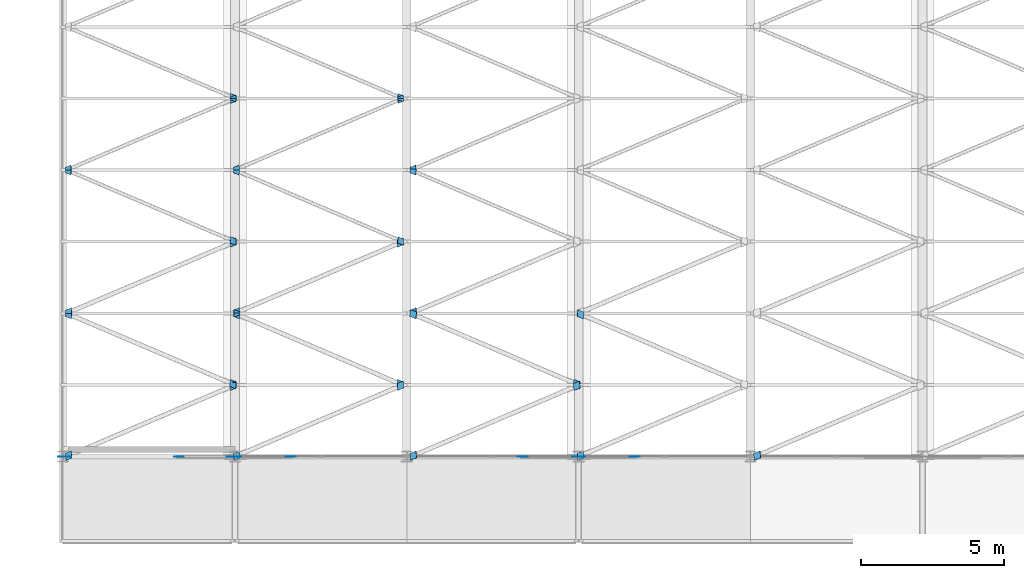
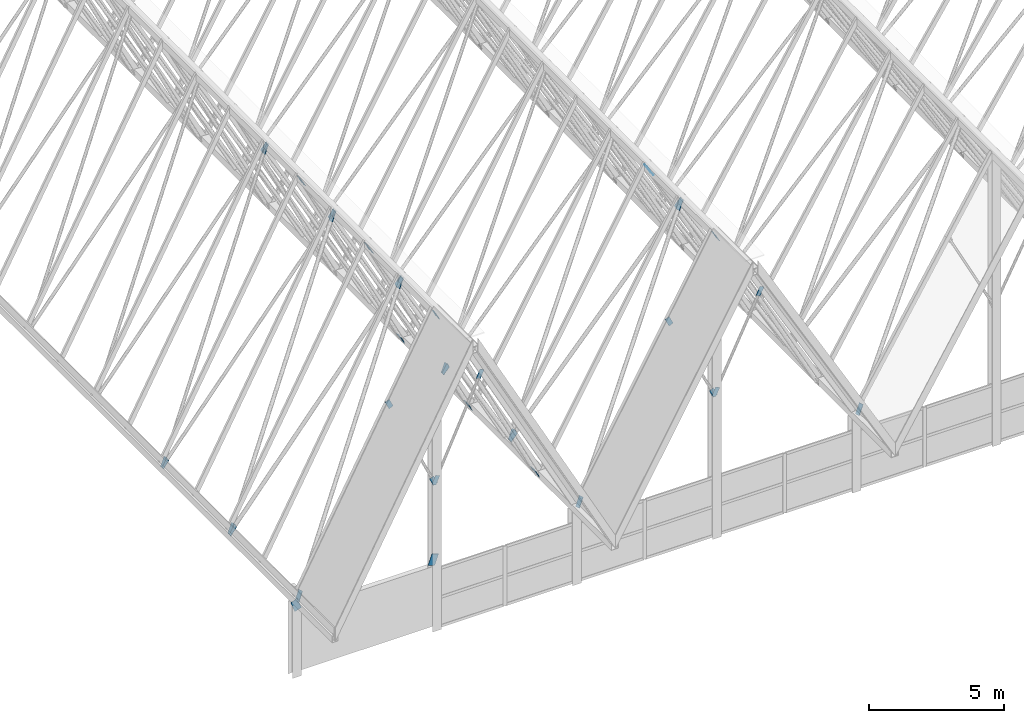
# One storey, part 413 of 483: 42 discrete accessories.
"""IFC4 building model written with IfcOpenShell, lengths in metres."""

from ifc_helpers import new_model, si_unit, direction, frame, origin, place, context, subcontext, project, spatial, polyline, outline, extrude, material, layer, layer_set, type_object, element, save


model = new_model("IFC4")

# Units and contexts
model_context = context("Model", 3, precision=1e-05, world=origin(), true_north=direction((0.0, 1.0)))
body_context = subcontext(model_context, "Body", "Model", "MODEL_VIEW")
ifc_project = project(units=[si_unit("LENGTHUNIT", "METRE"), si_unit("AREAUNIT", "SQUARE_METRE"), si_unit("VOLUMEUNIT", "CUBIC_METRE"), si_unit("PLANEANGLEUNIT", "RADIAN"), si_unit("MASSUNIT", "GRAM", prefix="KILO")], contexts=[model_context])

# Site, building, storey
site_placement = place(None, origin())
site = spatial("IfcSite", under=ifc_project, at=site_placement, CompositionType="ELEMENT")
building_placement = place(site_placement, origin())
building = spatial("IfcBuilding", under=site, at=building_placement, Name="Parallax Yard Mobility Hub", CompositionType="ELEMENT")
storey_placement = place(building_placement, frame((0.0, 0.0, 13.199951171875)))
storey = spatial("IfcBuildingStorey", under=building, at=storey_placement, Name="L04", CompositionType="ELEMENT", Elevation=13.199951171875)

# Discrete accessories
ifc_material = material(Name="Steel ASTM A36", Category="steel")
ifc_layer = layer(ifc_material, 0.011962890625)
ifc_layer_set = layer_set([ifc_layer], Name="Gusset plate PL12")
discrete_accessory_type = type_object("IfcDiscreteAccessoryType", Name="Gusset plate PL12", PredefinedType="BRACKET", material=ifc_layer_set)
discrete_accessory_1_placement = place(storey_placement, frame((27.165771484375, 7.69775390625, 13.381103515625), z_axis=(0.868732169448, 0.000395523995, 0.495282001821), x_axis=(-0.484483992587, -0.206995986275, 0.849957600467)))
element("IfcDiscreteAccessory", 1, at=discrete_accessory_1_placement, inside=storey, type_object=discrete_accessory_type, Name="Gusset plate PL12 at end 1 of Plate diagonal plate F4-F5 bay 1", PredefinedType="BRACKET", context=body_context, shape_type="SweptSolid", body=[
    extrude(outline(polyline([(0.0, 0.0), (0.4481892297159951, 0.0), (0.448286374207487, 0.2482771369755293), (7.91753644304588e-06, 0.24829588084323018), (0.0, 0.0)])), origin(), (0.0, 0.0, -1.0), 0.011962890625),
])
discrete_accessory_2_placement = place(storey_placement, frame((33.325439453125, 7.701171875, 3.697265625), z_axis=(-0.85415450539, 0.000224511175, 0.520019259756), x_axis=(-0.50764739029, -0.217192880489, -0.833739395613)))
element("IfcDiscreteAccessory", 2, at=discrete_accessory_2_placement, inside=storey, type_object=discrete_accessory_type, Name="Gusset plate PL12 at end 1 of Plate diagonal plate F5-F6 bay 1", PredefinedType="BRACKET", context=body_context, shape_type="SweptSolid", body=[
    extrude(outline(polyline([(0.0, 0.0), (0.4485049026230614, 1.3877787807814457e-17), (0.4485595857436242, 0.24834820057078677), (0.00013429542654988524, 0.24833040932254563), (0.0, 0.0)])), origin(), (0.0, 0.0, -1.0), 0.011962890625),
])
discrete_accessory_3_placement = place(storey_placement, frame((9.285888671875, 7.6943359375, 3.6630859375), z_axis=(-0.8815052292, -0.00016866425, 0.472174228909), x_axis=(-0.462879413454, -0.19713217373, -0.864223093119)))
element("IfcDiscreteAccessory", 3, at=discrete_accessory_3_placement, inside=storey, type_object=discrete_accessory_type, Name="Gusset plate PL12 at end 1 of Plate diagonal plate F1-F2 bay 1", PredefinedType="BRACKET", context=body_context, shape_type="SweptSolid", body=[
    extrude(outline(polyline([(0.0, 0.0), (0.44832309499676326, 0.0), (0.4482253766003683, 0.24829987844322912), (-9.771839639496904e-05, 0.24829987844322915), (0.0, 0.0)])), origin(), (0.0, 0.0, -1.0), 0.011962890625),
])
discrete_accessory_4_placement = place(storey_placement, frame((14.841064453125, 9.8056640625, 14.0322265625), z_axis=(-0.881424026068, -0.000370912562, 0.472325680747), x_axis=(0.462992773511, 0.197132223062, 0.864162356451)))
element("IfcDiscreteAccessory", 4, at=discrete_accessory_4_placement, inside=storey, type_object=discrete_accessory_type, Name="Gusset plate PL12 at end 2 of Plate diagonal plate F1-F2 bay 1", PredefinedType="BRACKET", context=body_context, shape_type="SweptSolid", body=[
    extrude(outline(polyline([(0.0, 0.0), (0.448323091289255, 2.7755575615628914e-17), (0.44822538030706843, 0.248299871751977), (0.00011326615561887271, 0.24825749251665405), (0.0, 0.0)])), origin(), (0.0, 0.0, -1.0), 0.011962890625),
])
discrete_accessory_5_placement = place(storey_placement, frame((15.158935546875, 7.694580078125, 14.032470703125), z_axis=(0.881386103944, 0.000117840029, 0.472396572688), x_axis=(-0.463047519643, -0.197748528977, 0.863992195474)))
element("IfcDiscreteAccessory", 5, at=discrete_accessory_5_placement, inside=storey, type_object=discrete_accessory_type, Name="Gusset plate PL12 at end 1 of Plate diagonal plate F2-F3 bay 1", PredefinedType="BRACKET", context=body_context, shape_type="SweptSolid", body=[
    extrude(outline(polyline([(0.0, 0.0), (0.44816033440841985, -1.3877787807814457e-17), (0.4482187207426119, 0.2482998908071515), (5.838633419206346e-05, 0.24829989080715148), (0.0, 0.0)])), origin(), (0.0, 0.0, -1.0), 0.011962890625),
])
discrete_accessory_6_placement = place(storey_placement, frame((20.688720703125, 9.805419921875, 3.71044921875), z_axis=(0.881467349463, -8.4335673e-05, 0.472244962618), x_axis=(0.462942996305, 0.197655481839, -0.864069495279)))
element("IfcDiscreteAccessory", 6, at=discrete_accessory_6_placement, inside=storey, type_object=discrete_accessory_type, Name="Gusset plate PL12 at end 2 of Plate diagonal plate F2-F3 bay 1", PredefinedType="BRACKET", context=body_context, shape_type="SweptSolid", body=[
    extrude(outline(polyline([(0.0, 0.0), (0.44837128314796426, 0.0), (0.44819515047821357, 0.24834243392299732), (3.482179687006731e-05, 0.24829988853816032), (0.0, 0.0)])), origin(), (0.0, 0.0, -1.0), 0.011962890625),
])
discrete_accessory_7_placement = place(storey_placement, frame((21.318115234375, 7.69775390625, 3.704345703125), z_axis=(-0.868822502561, -0.000185250571, 0.495123645897), x_axis=(-0.484376883769, -0.206900299394, -0.850041940484)))
element("IfcDiscreteAccessory", 7, at=discrete_accessory_7_placement, inside=storey, type_object=discrete_accessory_type, Name="Gusset plate PL12 at end 1 of Plate diagonal plate F3-F4 bay 1", PredefinedType="BRACKET", context=body_context, shape_type="SweptSolid", body=[
    extrude(outline(polyline([(0.0, 0.0), (0.44839673081514386, 0.0), (0.4482620994656504, 0.24832096211860205), (-1.637527435451036e-05, 0.2482959136075356), (0.0, 0.0)])), origin(), (0.0, 0.0, -1.0), 0.011962890625),
])
discrete_accessory_8_placement = place(storey_placement, frame((26.834228515625, 9.80224609375, 13.381103515625), z_axis=(-0.868732169448, -0.000395523995, 0.495282001821), x_axis=(0.484483992587, 0.206995986275, 0.849957600467)))
element("IfcDiscreteAccessory", 8, at=discrete_accessory_8_placement, inside=storey, type_object=discrete_accessory_type, Name="Gusset plate PL12 at end 2 of Plate diagonal plate F3-F4 bay 1", PredefinedType="BRACKET", context=body_context, shape_type="SweptSolid", body=[
    extrude(outline(polyline([(0.0, 0.0), (0.4481892297159951, 0.0), (0.448286374207487, 0.2482771369755293), (7.91753644304588e-06, 0.24829588084323018), (0.0, 0.0)])), origin(), (0.0, 0.0, -1.0), 0.011962890625),
])
discrete_accessory_9_placement = place(storey_placement, frame((27.191162109375, 12.545166015625, 13.33642578125), z_axis=(0.868732169448, -0.000395523995, 0.495282001821), x_axis=(-0.484488292947, 0.206955078691, 0.849965110696)))
element("IfcDiscreteAccessory", 9, at=discrete_accessory_9_placement, inside=storey, type_object=discrete_accessory_type, Name="Gusset plate PL12 at end 2 of Plate diagonal plate F4-F5 bay 2", PredefinedType="BRACKET", context=body_context, shape_type="SweptSolid", body=[
    extrude(outline(polyline([(0.0, 0.0), (0.4482784570629127, 4.163336342344337e-17), (0.4481916937837529, 0.2482771408203972), (2.464459548427722e-06, 0.2482958809572349), (0.0, 0.0)])), origin(), (0.0, 0.0, -1.0), 0.011962890625),
])
discrete_accessory_10_placement = place(storey_placement, frame((14.81787109375, 9.950927734375, 13.9892578125), z_axis=(-0.881424026068, 0.000370912562, 0.472325680747), x_axis=(0.462983935393, -0.197224939202, 0.864145936127)))
element("IfcDiscreteAccessory", 10, at=discrete_accessory_10_placement, inside=storey, type_object=discrete_accessory_type, Name="Gusset plate PL12 at end 1 of Plate diagonal plate F1-F2 bay 2", PredefinedType="BRACKET", context=body_context, shape_type="SweptSolid", body=[
    extrude(outline(polyline([(0.0, 0.0), (0.4481121161554119, 1.3877787807814457e-17), (0.44818634471319596, 0.24829987988238228), (-0.00013674457115322308, 0.24825748069454182), (0.0, 0.0)])), origin(), (0.0, 0.0, -1.0), 0.011962890625),
])
discrete_accessory_11_placement = place(storey_placement, frame((9.30908203125, 12.549072265625, 3.706298828125), z_axis=(-0.8815052292, 0.00016866425, 0.472174228909), x_axis=(-0.462879413454, 0.19713217373, -0.864223093119)))
element("IfcDiscreteAccessory", 11, at=discrete_accessory_11_placement, inside=storey, type_object=discrete_accessory_type, Name="Gusset plate PL12 at end 2 of Plate diagonal plate F1-F2 bay 2", PredefinedType="BRACKET", context=body_context, shape_type="SweptSolid", body=[
    extrude(outline(polyline([(0.0, 0.0), (0.44832309499676326, 0.0), (0.44842081339315826, 0.24829987844322915), (9.771839639496904e-05, 0.24829987844322915), (0.0, 0.0)])), origin(), (0.0, 0.0, -1.0), 0.011962890625),
])
discrete_accessory_12_placement = place(storey_placement, frame((20.66552734375, 9.951171875, 3.753662109375), z_axis=(0.881467349463, 8.4335673e-05, 0.472244962618), x_axis=(0.462934139882, -0.197748541461, -0.864052947731)))
element("IfcDiscreteAccessory", 12, at=discrete_accessory_12_placement, inside=storey, type_object=discrete_accessory_type, Name="Gusset plate PL12 at end 1 of Plate diagonal plate F2-F3 bay 2", PredefinedType="BRACKET", context=body_context, shape_type="SweptSolid", body=[
    extrude(outline(polyline([(0.0, 0.0), (0.4481603307008326, 0.0), (0.44831288737767516, 0.24834244952479625), (-5.8393749849471044e-05, 0.24829988411352577), (0.0, 0.0)])), origin(), (0.0, 0.0, -1.0), 0.011962890625),
])
discrete_accessory_13_placement = place(storey_placement, frame((15.18212890625, 12.548828125, 13.9892578125), z_axis=(0.881386103944, -0.000117840029, 0.472396572688), x_axis=(-0.463047519643, 0.197748528977, 0.863992195474)))
element("IfcDiscreteAccessory", 13, at=discrete_accessory_13_placement, inside=storey, type_object=discrete_accessory_type, Name="Gusset plate PL12 at end 2 of Plate diagonal plate F2-F3 bay 2", PredefinedType="BRACKET", context=body_context, shape_type="SweptSolid", body=[
    extrude(outline(polyline([(0.0, 0.0), (0.44816033440841985, 1.3877787807814457e-17), (0.44810194807422776, 0.24829989080715154), (-5.838633419206346e-05, 0.24829989080715148), (0.0, 0.0)])), origin(), (0.0, 0.0, -1.0), 0.011962890625),
])
discrete_accessory_14_placement = place(storey_placement, frame((26.808837890625, 9.954833984375, 13.33642578125), z_axis=(-0.868732169448, 0.000395523995, 0.495282001821), x_axis=(0.484488292947, -0.206955078691, 0.849965110696)))
element("IfcDiscreteAccessory", 14, at=discrete_accessory_14_placement, inside=storey, type_object=discrete_accessory_type, Name="Gusset plate PL12 at end 1 of Plate diagonal plate F3-F4 bay 2", PredefinedType="BRACKET", context=body_context, shape_type="SweptSolid", body=[
    extrude(outline(polyline([(0.0, 0.0), (0.4482784570629127, 4.163336342344337e-17), (0.4481916937837529, 0.2482771408203972), (2.464459548427722e-06, 0.2482958809572349), (0.0, 0.0)])), origin(), (0.0, 0.0, -1.0), 0.011962890625),
])
discrete_accessory_15_placement = place(storey_placement, frame((21.343505859375, 12.545166015625, 3.7490234375), z_axis=(-0.868822502561, 0.000185250571, 0.495123645897), x_axis=(-0.484371150093, 0.206954967124, -0.850031899719)))
element("IfcDiscreteAccessory", 15, at=discrete_accessory_15_placement, inside=storey, type_object=discrete_accessory_type, Name="Gusset plate PL12 at end 2 of Plate diagonal plate F3-F4 bay 2", PredefinedType="BRACKET", context=body_context, shape_type="SweptSolid", body=[
    extrude(outline(polyline([(0.0, 0.0), (0.44827847543982424, -1.3877787807814457e-17), (0.44839923132840964, 0.248320969253754), (2.501213269813507e-06, 0.24829591413491753), (0.0, 0.0)])), origin(), (0.0, 0.0, -1.0), 0.011962890625),
])
discrete_accessory_16_placement = place(storey_placement, frame((9.285888671875, 12.6943359375, 3.6630859375), z_axis=(-0.8815052292, -0.00016866425, 0.472174228909), x_axis=(-0.462879413454, -0.19713217373, -0.864223093119)))
element("IfcDiscreteAccessory", 16, at=discrete_accessory_16_placement, inside=storey, type_object=discrete_accessory_type, Name="Gusset plate PL12 at end 1 of Plate diagonal plate F1-F2 bay 3", PredefinedType="BRACKET", context=body_context, shape_type="SweptSolid", body=[
    extrude(outline(polyline([(0.0, 0.0), (0.44832309499676326, 0.0), (0.4482253766003683, 0.24829987844322912), (-9.771839639496904e-05, 0.24829987844322915), (0.0, 0.0)])), origin(), (0.0, 0.0, -1.0), 0.011962890625),
])
discrete_accessory_17_placement = place(storey_placement, frame((14.841064453125, 14.8056640625, 14.0322265625), z_axis=(-0.881424026068, -0.000370912562, 0.472325680747), x_axis=(0.462992773511, 0.197132223062, 0.864162356451)))
element("IfcDiscreteAccessory", 17, at=discrete_accessory_17_placement, inside=storey, type_object=discrete_accessory_type, Name="Gusset plate PL12 at end 2 of Plate diagonal plate F1-F2 bay 3", PredefinedType="BRACKET", context=body_context, shape_type="SweptSolid", body=[
    extrude(outline(polyline([(0.0, 0.0), (0.448323091289255, 2.7755575615628914e-17), (0.44822538030706843, 0.248299871751977), (0.00011326615561887271, 0.24825749251665405), (0.0, 0.0)])), origin(), (0.0, 0.0, -1.0), 0.011962890625),
])
discrete_accessory_18_placement = place(storey_placement, frame((15.158935546875, 12.694580078125, 14.032470703125), z_axis=(0.881386103944, 0.000117840029, 0.472396572688), x_axis=(-0.463047519643, -0.197748528977, 0.863992195474)))
element("IfcDiscreteAccessory", 18, at=discrete_accessory_18_placement, inside=storey, type_object=discrete_accessory_type, Name="Gusset plate PL12 at end 1 of Plate diagonal plate F2-F3 bay 3", PredefinedType="BRACKET", context=body_context, shape_type="SweptSolid", body=[
    extrude(outline(polyline([(0.0, 0.0), (0.44816033440841985, -1.3877787807814457e-17), (0.4482187207426119, 0.2482998908071515), (5.838633419206346e-05, 0.24829989080715148), (0.0, 0.0)])), origin(), (0.0, 0.0, -1.0), 0.011962890625),
])
discrete_accessory_19_placement = place(storey_placement, frame((20.688720703125, 14.805419921875, 3.71044921875), z_axis=(0.881467349463, -8.4335673e-05, 0.472244962618), x_axis=(0.462942996305, 0.197655481839, -0.864069495279)))
element("IfcDiscreteAccessory", 19, at=discrete_accessory_19_placement, inside=storey, type_object=discrete_accessory_type, Name="Gusset plate PL12 at end 2 of Plate diagonal plate F2-F3 bay 3", PredefinedType="BRACKET", context=body_context, shape_type="SweptSolid", body=[
    extrude(outline(polyline([(0.0, 0.0), (0.44837128314796426, 0.0), (0.44819515047821357, 0.24834243392299732), (3.482179687006731e-05, 0.24829988853816032), (0.0, 0.0)])), origin(), (0.0, 0.0, -1.0), 0.011962890625),
])
discrete_accessory_20_placement = place(storey_placement, frame((21.318115234375, 12.69775390625, 3.704345703125), z_axis=(-0.868822502561, -0.000185250571, 0.495123645897), x_axis=(-0.484376883769, -0.206900299394, -0.850041940484)))
element("IfcDiscreteAccessory", 20, at=discrete_accessory_20_placement, inside=storey, type_object=discrete_accessory_type, Name="Gusset plate PL12 at end 1 of Plate diagonal plate F3-F4 bay 3", PredefinedType="BRACKET", context=body_context, shape_type="SweptSolid", body=[
    extrude(outline(polyline([(0.0, 0.0), (0.44839673081514386, 0.0), (0.4482620994656504, 0.24832096211860205), (-1.637527435451036e-05, 0.2482959136075356), (0.0, 0.0)])), origin(), (0.0, 0.0, -1.0), 0.011962890625),
])
discrete_accessory_21_placement = place(storey_placement, frame((14.83251953125, 14.959228515625, 14.016357421875), z_axis=(-0.881457749689, 0.000418899554, 0.472262702356), x_axis=(0.462921139514, -0.197148575748, 0.864197001656)))
element("IfcDiscreteAccessory", 21, at=discrete_accessory_21_placement, inside=storey, type_object=discrete_accessory_type, Name="Gusset plate PL12 at end 1 of Plate diagonal plate F1-F2 bay 4", PredefinedType="BRACKET", context=body_context, shape_type="SweptSolid", body=[
    extrude(outline(polyline([(0.0, 0.0), (0.4198035494855601, 0.0), (0.419758399135922, 0.21963376482791974), (-4.515034963806924e-05, 0.2196337648279198), (0.0, 0.0)])), origin(), (0.0, 0.0, -1.0), 0.011962890625),
])
discrete_accessory_22_placement = place(storey_placement, frame((9.29443359375, 17.540771484375, 3.678955078125), z_axis=(-0.881330506499, 0.000364781086, 0.472500164284), x_axis=(-0.463153892363, 0.197247700391, -0.864049661003)))
element("IfcDiscreteAccessory", 22, at=discrete_accessory_22_placement, inside=storey, type_object=discrete_accessory_type, Name="Gusset plate PL12 at end 2 of Plate diagonal plate F1-F2 bay 4", PredefinedType="BRACKET", context=body_context, shape_type="SweptSolid", body=[
    extrude(outline(polyline([(0.0, 0.0), (0.4195925818708517, 0.0), (0.4195252484554286, 0.21963375914747532), (-6.7333415423039e-05, 0.21963375914747532), (0.0, 0.0)])), origin(), (0.0, 0.0, -1.0), 0.011962890625),
])
discrete_accessory_23_placement = place(storey_placement, frame((20.68017578125, 14.95947265625, 3.7265625), z_axis=(0.881506711294, 9.5645112e-05, 0.472171482404), x_axis=(0.462867994823, -0.197707434975, -0.86409778933)))
element("IfcDiscreteAccessory", 23, at=discrete_accessory_23_placement, inside=storey, type_object=discrete_accessory_type, Name="Gusset plate PL12 at end 1 of Plate diagonal plate F2-F3 bay 4", PredefinedType="BRACKET", context=body_context, shape_type="SweptSolid", body=[
    extrude(outline(polyline([(0.0, 0.0), (0.4198517496860976, 0.0), (0.4198923519425334, 0.21967623288902127), (4.0602256435769146e-05, 0.21967623288902127), (0.0, 0.0)])), origin(), (0.0, 0.0, -1.0), 0.011962890625),
])
discrete_accessory_24_placement = place(storey_placement, frame((15.16748046875, 17.54052734375, 14.016357421875), z_axis=(0.881379531928, 0.00015000554, 0.472408825274), x_axis=(-0.463100667478, 0.197806817767, 0.863950365835)))
element("IfcDiscreteAccessory", 24, at=discrete_accessory_24_placement, inside=storey, type_object=discrete_accessory_type, Name="Gusset plate PL12 at end 2 of Plate diagonal plate F2-F3 bay 4", PredefinedType="BRACKET", context=body_context, shape_type="SweptSolid", body=[
    extrude(outline(polyline([(0.0, 0.0), (0.4196408063032597, 0.0), (0.4196591291142459, 0.21967623587709556), (1.8322810986286242e-05, 0.2196762358770956), (0.0, 0.0)])), origin(), (0.0, 0.0, -1.0), 0.011962890625),
])
discrete_accessory_25_placement = place(storey_placement, frame((21.328369140625, 17.537109375, 3.72216796875), z_axis=(-0.868696794053, 0.000898687081, 0.495343388332), x_axis=(-0.484454521055, 0.206988455494, -0.849976232798)))
element("IfcDiscreteAccessory", 25, at=discrete_accessory_25_placement, inside=storey, type_object=discrete_accessory_type, Name="Gusset plate PL12 at end 2 of Plate diagonal plate F3-F4 bay 4", PredefinedType="BRACKET", context=body_context, shape_type="SweptSolid", body=[
    extrude(outline(polyline([(0.0, 0.0), (0.4198983785511328, 1.3877787807814457e-17), (0.41983749063708, 0.21958679860225017), (0.00014662581465764435, 0.21963059128649676), (0.0, 0.0)])), origin(), (0.0, 0.0, -1.0), 0.011962890625),
])
discrete_accessory_26_placement = place(storey_placement, frame((9.27392578125, 17.674560546875, 3.640869140625), z_axis=(-0.881330506499, -0.000364781086, 0.472500164284), x_axis=(-0.463153892363, -0.197247700391, -0.864049661003)))
element("IfcDiscreteAccessory", 26, at=discrete_accessory_26_placement, inside=storey, type_object=discrete_accessory_type, Name="Gusset plate PL12 at end 1 of Plate diagonal plate F1-F2 bay 5", PredefinedType="BRACKET", context=body_context, shape_type="SweptSolid", body=[
    extrude(outline(polyline([(0.0, 0.0), (0.4195925818708517, 0.0), (0.4196599152862747, 0.21963375914747532), (6.7333415423039e-05, 0.21963375914747532), (0.0, 0.0)])), origin(), (0.0, 0.0, -1.0), 0.011962890625),
])
discrete_accessory_27_placement = place(storey_placement, frame((14.85302734375, 19.825439453125, 14.054443359375), z_axis=(-0.881457749689, -0.000418899554, 0.472262702356), x_axis=(0.462921139514, 0.197148575748, 0.864197001656)))
element("IfcDiscreteAccessory", 27, at=discrete_accessory_27_placement, inside=storey, type_object=discrete_accessory_type, Name="Gusset plate PL12 at end 2 of Plate diagonal plate F1-F2 bay 5", PredefinedType="BRACKET", context=body_context, shape_type="SweptSolid", body=[
    extrude(outline(polyline([(0.0, 0.0), (0.4198035494855601, 0.0), (0.4198486998351981, 0.2196337648279198), (4.515034963806924e-05, 0.2196337648279198), (0.0, 0.0)])), origin(), (0.0, 0.0, -1.0), 0.011962890625),
])
discrete_accessory_28_placement = place(storey_placement, frame((15.14697265625, 17.6748046875, 14.0546875), z_axis=(0.881379531928, -0.00015000554, 0.472408825274), x_axis=(-0.463100667478, -0.197806817767, 0.863950365835)))
element("IfcDiscreteAccessory", 28, at=discrete_accessory_28_placement, inside=storey, type_object=discrete_accessory_type, Name="Gusset plate PL12 at end 1 of Plate diagonal plate F2-F3 bay 5", PredefinedType="BRACKET", context=body_context, shape_type="SweptSolid", body=[
    extrude(outline(polyline([(0.0, 0.0), (0.4196408063032597, 0.0), (0.4196224834922734, 0.21967623587709556), (-1.8322810986286242e-05, 0.2196762358770956), (0.0, 0.0)])), origin(), (0.0, 0.0, -1.0), 0.011962890625),
])
discrete_accessory_29_placement = place(storey_placement, frame((20.70068359375, 19.8251953125, 3.688232421875), z_axis=(0.881506711294, -9.5645112e-05, 0.472171482404), x_axis=(0.462867994823, 0.197707434975, -0.86409778933)))
element("IfcDiscreteAccessory", 29, at=discrete_accessory_29_placement, inside=storey, type_object=discrete_accessory_type, Name="Gusset plate PL12 at end 2 of Plate diagonal plate F2-F3 bay 5", PredefinedType="BRACKET", context=body_context, shape_type="SweptSolid", body=[
    extrude(outline(polyline([(0.0, 0.0), (0.4198517496860976, 0.0), (0.4198111474296618, 0.21967623288902122), (-4.0602256435769146e-05, 0.21967623288902127), (0.0, 0.0)])), origin(), (0.0, 0.0, -1.0), 0.011962890625),
])
discrete_accessory_30_placement = place(storey_placement, frame((21.3056640625, 17.677734375, 3.6826171875), z_axis=(-0.868696794053, -0.000898687081, 0.495343388332), x_axis=(-0.484443740172, -0.207090539659, -0.849957511286)))
element("IfcDiscreteAccessory", 30, at=discrete_accessory_30_placement, inside=storey, type_object=discrete_accessory_type, Name="Gusset plate PL12 at end 1 of Plate diagonal plate F3-F4 bay 5", PredefinedType="BRACKET", context=body_context, shape_type="SweptSolid", body=[
    extrude(outline(polyline([(0.0, 0.0), (0.41969086710719833, 1.3877787807814457e-17), (0.4197746678267241, 0.21958679105347548), (-0.00012370843850314367, 0.21963060539052376), (0.0, 0.0)])), origin(), (0.0, 0.0, -1.0), 0.011962890625),
])
discrete_accessory_31_placement = place(storey_placement, frame((14.83251953125, 19.959228515625, 14.016357421875), z_axis=(-0.881457749689, 0.000418899554, 0.472262702356), x_axis=(0.462921139514, -0.197148575748, 0.864197001656)))
element("IfcDiscreteAccessory", 31, at=discrete_accessory_31_placement, inside=storey, type_object=discrete_accessory_type, Name="Gusset plate PL12 at end 1 of Plate diagonal plate F1-F2 bay 6", PredefinedType="BRACKET", context=body_context, shape_type="SweptSolid", body=[
    extrude(outline(polyline([(0.0, 0.0), (0.4198035494855601, 0.0), (0.419758399135922, 0.21963376482791974), (-4.515034963806924e-05, 0.2196337648279198), (0.0, 0.0)])), origin(), (0.0, 0.0, -1.0), 0.011962890625),
])
discrete_accessory_32_placement = place(storey_placement, frame((20.68017578125, 19.95947265625, 3.7265625), z_axis=(0.881506711294, 9.5645112e-05, 0.472171482404), x_axis=(0.462867994823, -0.197707434975, -0.86409778933)))
element("IfcDiscreteAccessory", 32, at=discrete_accessory_32_placement, inside=storey, type_object=discrete_accessory_type, Name="Gusset plate PL12 at end 1 of Plate diagonal plate F2-F3 bay 6", PredefinedType="BRACKET", context=body_context, shape_type="SweptSolid", body=[
    extrude(outline(polyline([(0.0, 0.0), (0.4198517496860976, 0.0), (0.4198923519425334, 0.21967623288902127), (4.0602256435769146e-05, 0.21967623288902127), (0.0, 0.0)])), origin(), (0.0, 0.0, -1.0), 0.011962890625),
])
discrete_accessory_33_placement = place(storey_placement, frame((14.71630859375, 7.5, 2.957275390625), z_axis=(0.0, 1.0, 0.0), x_axis=(0.341507347771, 0.0, 0.939879104682)))
element("IfcDiscreteAccessory", 33, at=discrete_accessory_33_placement, inside=storey, type_object=discrete_accessory_type, Name="Gusset plate PL12 at end 2 of X brace west end bay south face level 0 1", PredefinedType="BRACKET", context=body_context, shape_type="SweptSolid", body=[
    extrude(outline(polyline([(0.0, 0.0), (0.4989941134860528, 0.0), (0.4991276581332899, 0.2991920898345452), (-0.00017929384213138944, 0.2990460029798305), (0.0, 0.0)])), origin(), (0.0, 0.0, -1.0), 0.011962890625),
])
discrete_accessory_34_placement = place(storey_placement, frame((9.002685546875, 7.5, 2.85498046875), z_axis=(0.0, 1.0, 0.0), x_axis=(-0.341782322268, 0.0, 0.939779146494)))
element("IfcDiscreteAccessory", 34, at=discrete_accessory_34_placement, inside=storey, type_object=discrete_accessory_type, Name="Gusset plate PL12 at end 2 of X brace west end bay south face level 0 2 (half 2)", PredefinedType="BRACKET", context=body_context, shape_type="SweptSolid", body=[
    extrude(outline(polyline([(0.0, 0.0), (0.49930697334641216, 0.0), (0.49908589131067727, 0.29919203795634136), (9.179918222466943e-05, 0.29904604263792683), (0.0, 0.0)])), origin(), (0.0, 0.0, -1.0), 0.011962890625),
])
discrete_accessory_35_placement = place(storey_placement, frame((14.957275390625, 7.5, 6.92626953125), z_axis=(0.0, 1.0, 0.0), x_axis=(0.416739996786, 0.0, -0.909025728502)))
element("IfcDiscreteAccessory", 35, at=discrete_accessory_35_placement, inside=storey, type_object=discrete_accessory_type, Name="Gusset plate PL12 at end 1 of Gable knee brace F2 south west", PredefinedType="BRACKET", context=body_context, shape_type="SweptSolid", body=[
    extrude(outline(polyline([(0.0, 0.0), (0.39426654962843893, -2.7755575615628914e-17), (0.39438703893175614, 0.19423419937499578), (1.874614003931352e-05, 0.19445612948449334), (0.0, 0.0)])), origin(), (0.0, 0.0, -1.0), 0.011962890625),
])
discrete_accessory_36_placement = place(storey_placement, frame((13.042724609375, 7.5, 10.632568359375), z_axis=(0.0, 1.0, 0.0), x_axis=(-0.416739996786, 0.0, 0.909025728502)))
element("IfcDiscreteAccessory", 36, at=discrete_accessory_36_placement, inside=storey, type_object=discrete_accessory_type, Name="Gusset plate PL12 at end 2 of Gable knee brace F2 south west", PredefinedType="BRACKET", context=body_context, shape_type="SweptSolid", body=[
    extrude(outline(polyline([(0.0, 0.0), (0.39426654962843893, -2.7755575615628914e-17), (0.39438703893175614, 0.19423419937499578), (0.00024067624953690026, 0.1945578726477712), (0.0, 0.0)])), origin(), (0.0, 0.0, -1.0), 0.011962890625),
])
discrete_accessory_37_placement = place(storey_placement, frame((15.219482421875, 7.5, 6.84521484375), z_axis=(0.0, 1.0, 0.0), x_axis=(-0.417251483454, 0.0, -0.908791064852)))
element("IfcDiscreteAccessory", 37, at=discrete_accessory_37_placement, inside=storey, type_object=discrete_accessory_type, Name="Gusset plate PL12 at end 1 of Gable knee brace F2 south east", PredefinedType="BRACKET", context=body_context, shape_type="SweptSolid", body=[
    extrude(outline(polyline([(0.0, 0.0), (0.3943683552371142, 0.0), (0.3943571709124726, 0.19423423642455187), (9.068371331094616e-05, 0.1944561092431193), (0.0, 0.0)])), origin(), (0.0, 0.0, -1.0), 0.011962890625),
])
discrete_accessory_38_placement = place(storey_placement, frame((16.780517578125, 7.5, 10.7138671875), z_axis=(0.0, 1.0, 0.0), x_axis=(0.417486348589, 0.0, 0.908683194926)))
element("IfcDiscreteAccessory", 38, at=discrete_accessory_38_placement, inside=storey, type_object=discrete_accessory_type, Name="Gusset plate PL12 at end 2 of Gable knee brace F2 south east", PredefinedType="BRACKET", context=body_context, shape_type="SweptSolid", body=[
    extrude(outline(polyline([(0.0, 0.0), (0.3941464955825575, 0.0), (0.3941855115284669, 0.19423423282797964), (-8.090515915333552e-05, 0.1945580046891895), (0.0, 0.0)])), origin(), (0.0, 0.0, -1.0), 0.011962890625),
])
for number, where, z_axis, x_axis, name in (
    (39, (26.94970703125, 7.5, 6.72509765625), (0.0, 1.0, 0.0), (0.437776940286, 0.0, -0.899083617109), "Gusset plate PL12 at end 1 of Gable knee brace F4 south west"),
    (40, (25.05029296875, 7.5, 10.184326171875), (0.0, 1.0, 0.0), (-0.437776940286, 0.0, 0.899083617109), "Gusset plate PL12 at end 2 of Gable knee brace F4 south west"),
):
    element("IfcDiscreteAccessory", number, at=place(storey_placement, frame(where, z_axis=z_axis, x_axis=x_axis)), inside=storey, type_object=discrete_accessory_type, Name=name, PredefinedType="BRACKET", context=body_context, shape_type="SweptSolid", body=[
        extrude(outline(polyline([(0.0, 0.0), (0.394281667193479, 2.7755575615628914e-17), (0.39425007208826723, 0.19413846715148267), (-3.1595105211792984e-05, 0.19413846715148264), (0.0, 0.0)])), origin(), (0.0, 0.0, -1.0), 0.011962890625),
    ])
for number, where, z_axis, x_axis, name in (
    (41, (27.224853515625, 7.5, 6.64013671875), (0.0, 1.0, 0.0), (-0.437776940286, 0.0, -0.899083617109), "Gusset plate PL12 at end 1 of Gable knee brace F4 south east"),
    (42, (28.775146484375, 7.5, 10.269287109375), (0.0, 1.0, 0.0), (0.437776940286, 0.0, 0.899083617109), "Gusset plate PL12 at end 2 of Gable knee brace F4 south east"),
):
    element("IfcDiscreteAccessory", number, at=place(storey_placement, frame(where, z_axis=z_axis, x_axis=x_axis)), inside=storey, type_object=discrete_accessory_type, Name=name, PredefinedType="BRACKET", context=body_context, shape_type="SweptSolid", body=[
        extrude(outline(polyline([(0.0, 0.0), (0.394281667193479, -2.7755575615628914e-17), (0.39431326229869085, 0.1941384671514826), (3.1595105211792984e-05, 0.19413846715148264), (0.0, 0.0)])), origin(), (0.0, 0.0, -1.0), 0.011962890625),
    ])

save(model, "model.ifc")
